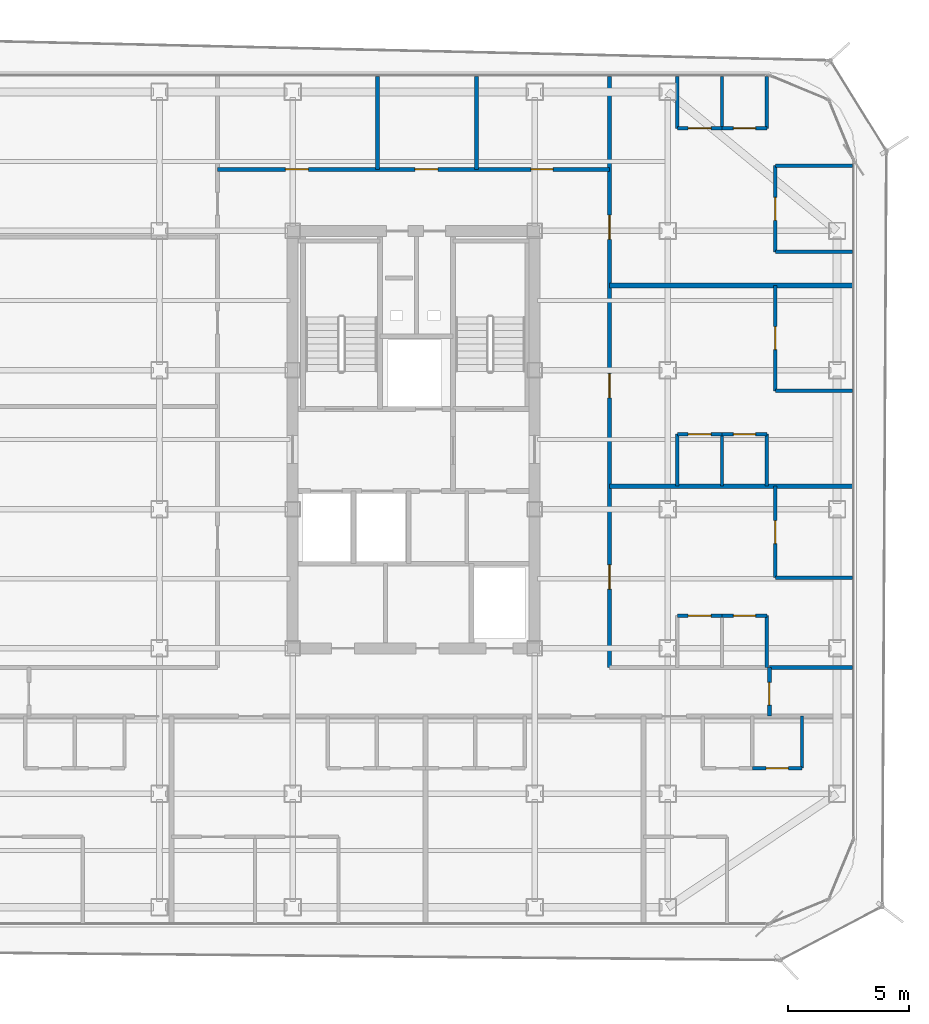
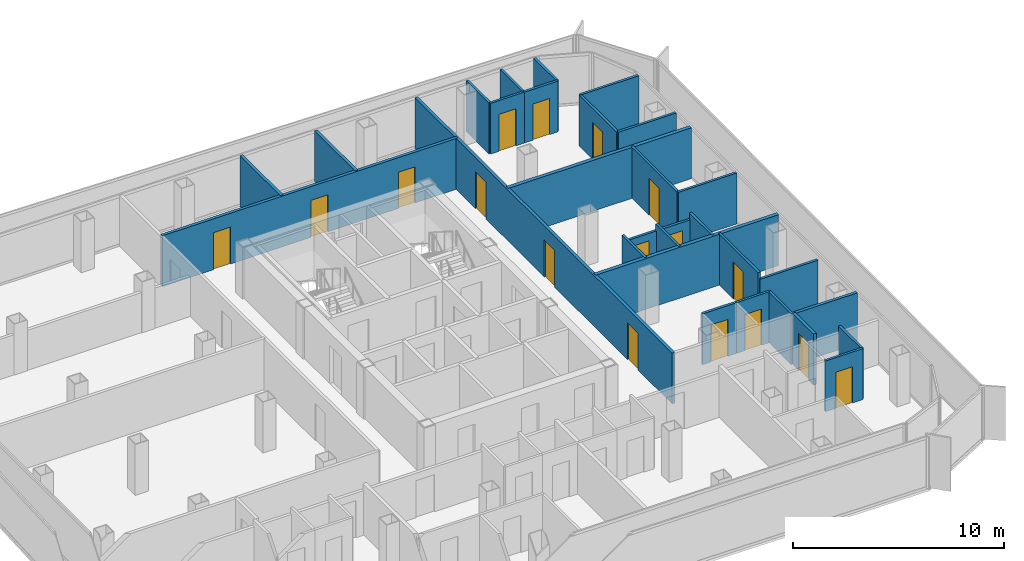
# One storey, part 12 of 16: 30 walls, 17 doors, 17 openings.
"""IFC4 building model written with IfcOpenShell, lengths in metres."""

from ifc_helpers import new_model, si_unit, direction, frame, frame_2d, origin, place, context, subcontext, project, spatial, rectangle, extrude, material, layer, layer_set, type_object, element, fill, save


model = new_model("IFC4")

# Units and contexts
model_context = context("Model", 3, precision=1e-05, world=origin(), true_north=direction((0.0, 1.0)))
body_context = subcontext(model_context, "Body", "Model", "MODEL_VIEW")
ifc_project = project(units=[si_unit("LENGTHUNIT", "METRE"), si_unit("AREAUNIT", "SQUARE_METRE"), si_unit("VOLUMEUNIT", "CUBIC_METRE"), si_unit("PLANEANGLEUNIT", "RADIAN"), si_unit("MASSUNIT", "GRAM", prefix="KILO")], contexts=[model_context])

# Site, building, storey
site_placement = place(None, origin())
site = spatial("IfcSite", under=ifc_project, at=site_placement, CompositionType="ELEMENT")
building_placement = place(site_placement, origin())
building = spatial("IfcBuilding", under=site, at=building_placement, Name="Kolveth Station Tower", CompositionType="ELEMENT")
storey_placement = place(building_placement, frame((0.0, 0.0, 178.5)))
storey = spatial("IfcBuildingStorey", under=building, at=storey_placement, Name="L50", CompositionType="ELEMENT", Elevation=178.5)

# Wall, opening, door
ifc_material_1 = material(Name="Moisture-resistant gypsum partition")
ifc_layer_1 = layer(ifc_material_1, 0.135009765625)
ifc_layer_set_1 = layer_set([ifc_layer_1], Name="Moisture-resistant gypsum partition")
wall_type_1 = type_object("IfcWallType", Name="Wall_IW-135", PredefinedType="PARTITIONING", material=ifc_layer_set_1)
wall_1_placement = place(storey_placement, frame((37.5, 6.550048828125, 0.0), z_axis=(0.0, 0.0, 1.0), x_axis=(1.0, 0.0, 0.0)))
wall_1 = element("IfcWall", 1, at=wall_1_placement, inside=storey, type_object=wall_type_1, Name="L50 Partition Wall WL-L50-A4-IBHB", PredefinedType="PARTITIONING", context=body_context, shape_type="SweptSolid", body=[
    extrude(rectangle(XDim=2.050048828125, YDim=0.135009765625, at=frame_2d((1.02490234375, 0.0))), origin(), (0.0, 0.0, 1.0), 2.949951171875),
])
opening_1_placement = place(wall_1_placement, frame((0.56494140625, 0.0, 0.0)))
opening_1 = element("IfcOpeningElement", 2, at=opening_1_placement, cuts=wall_1, Name="Opening ID2", PredefinedType="OPENING", context=body_context, shape_type="SweptSolid", body=[
    extrude(rectangle(XDim=0.919921875, YDim=2.10009765625, at=frame_2d((0.4599609375, 1.050048828125))), frame((0.0, 0.077392578125, 0.0), z_axis=(0.0, -1.0, 0.0), x_axis=(1.0, 0.0, 0.0)), (0.0, 0.0, 1.0), 0.155029296875),
])
ifc_material_2 = material(Name="Moisture-resistant hardwood leaf", Category="wood")
door_type_1 = type_object("IfcDoorType", Name="Door_ID2", OperationType="NOTDEFINED", PredefinedType="DOOR", material=ifc_material_2)
door_1_placement = place(opening_1_placement, origin())
door_1 = element("IfcDoor", 3, at=door_1_placement, inside=storey, type_object=door_type_1, Name="Flat L50-A4 Bathroom Door", OperationType="SINGLE_SWING_RIGHT", OverallHeight=2.10009765625, OverallWidth=0.919921875, PredefinedType="DOOR", context=body_context, shape_type="SweptSolid", body=[
    extrude(rectangle(XDim=0.919921875, YDim=2.10009765625, at=frame_2d((0.4599609375, 1.050048828125))), frame((0.0, 0.02490234375, 0.0), z_axis=(0.0, -1.0, 0.0), x_axis=(1.0, 0.0, 0.0)), (0.0, 0.0, 1.0), 0.050048828125),
])
fill(opening_1, door_1)

# Wall
wall_2_placement = place(storey_placement, frame((39.550048828125, 6.550048828125, 0.0), z_axis=(0.0, 0.0, 1.0), x_axis=(0.0, 1.0, 0.0)))
element("IfcWall", 4, at=wall_2_placement, inside=storey, type_object=wall_type_1, Name="L50 Partition Wall WL-L50-A4-IBV2", PredefinedType="PARTITIONING", context=body_context, shape_type="SweptSolid", body=[
    extrude(rectangle(XDim=2.14990234375, YDim=0.135009765625, at=frame_2d((1.074951171875, 0.0))), origin(), (0.0, 0.0, 1.0), 2.949951171875),
])

# Wall, opening, door
wall_3_placement = place(storey_placement, frame((34.39990234375, 12.85009765625, 0.0), z_axis=(0.0, 0.0, 1.0), x_axis=(1.0, 0.0, 0.0)))
wall_3 = element("IfcWall", 5, at=wall_3_placement, inside=storey, type_object=wall_type_1, Name="L50 Partition Wall WL-L50-E1-IBHK", PredefinedType="PARTITIONING", context=body_context, shape_type="SweptSolid", body=[
    extrude(rectangle(XDim=1.85009765625, YDim=0.135009765625, at=frame_2d((0.925048828125, 0.0))), origin(), (0.0, 0.0, 1.0), 2.949951171875),
])
opening_2_placement = place(wall_3_placement, frame((0.445068359375, 0.0, 0.0)))
opening_2 = element("IfcOpeningElement", 6, at=opening_2_placement, cuts=wall_3, Name="Opening ID1", PredefinedType="OPENING", context=body_context, shape_type="SweptSolid", body=[
    extrude(rectangle(XDim=0.949951171875, YDim=2.14990234375, at=frame_2d((0.47509765625, 1.074951171875))), frame((0.0, 0.077392578125, 0.0), z_axis=(0.0, -1.0, 0.0), x_axis=(1.0, 0.0, 0.0)), (0.0, 0.0, 1.0), 0.155029296875),
])
ifc_material_3 = material(Name="Acoustic hardwood leaf and aluminium frame", Category="wood")
door_type_2 = type_object("IfcDoorType", Name="Door_ID1", OperationType="NOTDEFINED", PredefinedType="DOOR", material=ifc_material_3)
door_2_placement = place(opening_2_placement, origin())
door_2 = element("IfcDoor", 7, at=door_2_placement, inside=storey, type_object=door_type_2, Name="Flat L50-E1 Kitchen Door", OperationType="SINGLE_SWING_RIGHT", OverallHeight=2.14990234375, OverallWidth=0.949951171875, PredefinedType="DOOR", context=body_context, shape_type="SweptSolid", body=[
    extrude(rectangle(XDim=0.949951171875, YDim=2.14990234375, at=frame_2d((0.47509765625, 1.074951171875))), frame((0.0, 0.02490234375, 0.0), z_axis=(0.0, -1.0, 0.0), x_axis=(1.0, 0.0, 0.0)), (0.0, 0.0, 1.0), 0.050048828125),
])
fill(opening_2, door_2)

wall_4_placement = place(storey_placement, frame((36.25, 12.85009765625, 0.0), z_axis=(0.0, 0.0, 1.0), x_axis=(1.0, 0.0, 0.0)))
wall_4 = element("IfcWall", 8, at=wall_4_placement, inside=storey, type_object=wall_type_1, Name="L50 Partition Wall WL-L50-E1-IBHB", PredefinedType="PARTITIONING", context=body_context, shape_type="SweptSolid", body=[
    extrude(rectangle(XDim=1.85009765625, YDim=0.135009765625, at=frame_2d((0.925048828125, 0.0))), origin(), (0.0, 0.0, 1.0), 2.949951171875),
])
opening_3_placement = place(wall_4_placement, frame((0.465087890625, 0.0, 0.0)))
opening_3 = element("IfcOpeningElement", 9, at=opening_3_placement, cuts=wall_4, Name="Opening ID2", PredefinedType="OPENING", context=body_context, shape_type="SweptSolid", body=[
    extrude(rectangle(XDim=0.919921875, YDim=2.10009765625, at=frame_2d((0.4599609375, 1.050048828125))), frame((0.0, 0.077392578125, 0.0), z_axis=(0.0, -1.0, 0.0), x_axis=(1.0, 0.0, 0.0)), (0.0, 0.0, 1.0), 0.155029296875),
])
door_3_placement = place(opening_3_placement, origin())
door_3 = element("IfcDoor", 10, at=door_3_placement, inside=storey, type_object=door_type_1, Name="Flat L50-E1 Bathroom Door", OperationType="SINGLE_SWING_LEFT", OverallHeight=2.10009765625, OverallWidth=0.919921875, PredefinedType="DOOR", context=body_context, shape_type="SweptSolid", body=[
    extrude(rectangle(XDim=0.919921875, YDim=2.10009765625, at=frame_2d((0.4599609375, 1.050048828125))), frame((0.0, 0.02490234375, 0.0), z_axis=(0.0, -1.0, 0.0), x_axis=(1.0, 0.0, 0.0)), (0.0, 0.0, 1.0), 0.050048828125),
])
fill(opening_3, door_3)

# Walls
wall_5_placement = place(storey_placement, frame((38.10009765625, 10.699951171875, 0.0), z_axis=(0.0, 0.0, 1.0), x_axis=(0.0, 1.0, 0.0)))
element("IfcWall", 11, at=wall_5_placement, inside=storey, type_object=wall_type_1, Name="L50 Partition Wall WL-L50-E1-IBV2", PredefinedType="PARTITIONING", context=body_context, shape_type="SweptSolid", body=[
    extrude(rectangle(XDim=2.150146484375, YDim=0.135009765625, at=frame_2d((1.0751953125, 0.0))), origin(), (0.0, 0.0, 1.0), 2.949951171875),
])
wall_6_placement = place(storey_placement, frame((38.449951171875, 14.419921875, 0.0), z_axis=(0.0, 0.0, 1.0), x_axis=(1.0, 0.0, 0.0)))
element("IfcWall", 12, at=wall_6_placement, inside=storey, type_object=wall_type_1, Name="L50 Partition Wall WL-L50-E1-BDH0", PredefinedType="PARTITIONING", context=body_context, shape_type="SweptSolid", body=[
    extrude(rectangle(XDim=3.18994140625, YDim=0.135009765625, at=frame_2d((1.594970703125, 0.0))), origin(), (0.0, 0.0, 1.0), 2.5830078125),
])

# Wall, opening, door
wall_7_placement = place(storey_placement, frame((38.449951171875, 14.419921875, 0.0), z_axis=(0.0, 0.0, 1.0), x_axis=(0.0, 1.0, 0.0)))
wall_7 = element("IfcWall", 13, at=wall_7_placement, inside=storey, type_object=wall_type_1, Name="L50 Partition Wall WL-L50-E1-BDV1", PredefinedType="PARTITIONING", context=body_context, shape_type="SweptSolid", body=[
    extrude(rectangle(XDim=3.780029296875, YDim=0.135009765625, at=frame_2d((1.89013671875, 0.0))), origin(), (0.0, 0.0, 1.0), 2.949951171875),
])
opening_4_placement = place(wall_7_placement, frame((1.409912109375, 0.0, 0.0)))
opening_4 = element("IfcOpeningElement", 14, at=opening_4_placement, cuts=wall_7, Name="Opening ID1", PredefinedType="OPENING", context=body_context, shape_type="SweptSolid", body=[
    extrude(rectangle(XDim=0.949951171875, YDim=2.14990234375, at=frame_2d((0.47509765625, 1.074951171875))), frame((0.0, 0.077392578125, 0.0), z_axis=(0.0, -1.0, 0.0), x_axis=(1.0, 0.0, 0.0)), (0.0, 0.0, 1.0), 0.155029296875),
])
door_4_placement = place(opening_4_placement, frame((0.949951171875, 0.0, 0.0), z_axis=(0.0, 0.0, 1.0), x_axis=(-1.0, 0.0, 0.0)))
door_4 = element("IfcDoor", 15, at=door_4_placement, inside=storey, type_object=door_type_2, Name="Flat L50-E1 Bedroom 1 Door", OperationType="SINGLE_SWING_RIGHT", OverallHeight=2.14990234375, OverallWidth=0.949951171875, PredefinedType="DOOR", context=body_context, shape_type="SweptSolid", body=[
    extrude(rectangle(XDim=0.949951171875, YDim=2.14990234375, at=frame_2d((0.47509765625, 1.074951171875))), frame((0.0, 0.02490234375, 0.0), z_axis=(0.0, -1.0, 0.0), x_axis=(1.0, 0.0, 0.0)), (0.0, 0.0, 1.0), 0.050048828125),
])
fill(opening_4, door_4)

wall_8_placement = place(storey_placement, frame((34.39990234375, 20.35009765625, 0.0), z_axis=(0.0, 0.0, 1.0), x_axis=(1.0, 0.0, 0.0)))
wall_8 = element("IfcWall", 16, at=wall_8_placement, inside=storey, type_object=wall_type_1, Name="L50 Partition Wall WL-L50-E2-IBHK", PredefinedType="PARTITIONING", context=body_context, shape_type="SweptSolid", body=[
    extrude(rectangle(XDim=1.85009765625, YDim=0.135009765625, at=frame_2d((0.925048828125, 0.0))), origin(), (0.0, 0.0, 1.0), 2.5830078125),
])
opening_5_placement = place(wall_8_placement, frame((0.445068359375, 0.0, 0.0)))
opening_5 = element("IfcOpeningElement", 17, at=opening_5_placement, cuts=wall_8, Name="Opening ID1", PredefinedType="OPENING", context=body_context, shape_type="SweptSolid", body=[
    extrude(rectangle(XDim=0.949951171875, YDim=2.14990234375, at=frame_2d((0.47509765625, 1.074951171875))), frame((0.0, 0.077392578125, 0.0), z_axis=(0.0, -1.0, 0.0), x_axis=(1.0, 0.0, 0.0)), (0.0, 0.0, 1.0), 0.155029296875),
])
door_5_placement = place(opening_5_placement, origin())
door_5 = element("IfcDoor", 18, at=door_5_placement, inside=storey, type_object=door_type_2, Name="Flat L50-E2 Kitchen Door", OperationType="SINGLE_SWING_LEFT", OverallHeight=2.14990234375, OverallWidth=0.949951171875, PredefinedType="DOOR", context=body_context, shape_type="SweptSolid", body=[
    extrude(rectangle(XDim=0.949951171875, YDim=2.14990234375, at=frame_2d((0.47509765625, 1.074951171875))), frame((0.0, 0.02490234375, 0.0), z_axis=(0.0, -1.0, 0.0), x_axis=(1.0, 0.0, 0.0)), (0.0, 0.0, 1.0), 0.050048828125),
])
fill(opening_5, door_5)

wall_9_placement = place(storey_placement, frame((36.25, 20.35009765625, 0.0), z_axis=(0.0, 0.0, 1.0), x_axis=(1.0, 0.0, 0.0)))
wall_9 = element("IfcWall", 19, at=wall_9_placement, inside=storey, type_object=wall_type_1, Name="L50 Partition Wall WL-L50-E2-IBHB", PredefinedType="PARTITIONING", context=body_context, shape_type="SweptSolid", body=[
    extrude(rectangle(XDim=1.85009765625, YDim=0.135009765625, at=frame_2d((0.925048828125, 0.0))), origin(), (0.0, 0.0, 1.0), 2.5830078125),
])
opening_6_placement = place(wall_9_placement, frame((0.465087890625, 0.0, 0.0)))
opening_6 = element("IfcOpeningElement", 20, at=opening_6_placement, cuts=wall_9, Name="Opening ID2", PredefinedType="OPENING", context=body_context, shape_type="SweptSolid", body=[
    extrude(rectangle(XDim=0.919921875, YDim=2.10009765625, at=frame_2d((0.4599609375, 1.050048828125))), frame((0.0, 0.077392578125, 0.0), z_axis=(0.0, -1.0, 0.0), x_axis=(1.0, 0.0, 0.0)), (0.0, 0.0, 1.0), 0.155029296875),
])
door_6_placement = place(opening_6_placement, origin())
door_6 = element("IfcDoor", 21, at=door_6_placement, inside=storey, type_object=door_type_1, Name="Flat L50-E2 Bathroom Door", OperationType="SINGLE_SWING_LEFT", OverallHeight=2.10009765625, OverallWidth=0.919921875, PredefinedType="DOOR", context=body_context, shape_type="SweptSolid", body=[
    extrude(rectangle(XDim=0.919921875, YDim=2.10009765625, at=frame_2d((0.4599609375, 1.050048828125))), frame((0.0, 0.02490234375, 0.0), z_axis=(0.0, -1.0, 0.0), x_axis=(1.0, 0.0, 0.0)), (0.0, 0.0, 1.0), 0.050048828125),
])
fill(opening_6, door_6)

# Walls
for number, where, z_axis, x_axis, name in (
    (22, (34.39990234375, 18.199951171875, 0.0), (0.0, 0.0, 1.0), (0.0, 1.0, 0.0), "L50 Partition Wall WL-L50-E2-IBV0"),
    (23, (36.25, 18.199951171875, 0.0), (0.0, 0.0, 1.0), (0.0, 1.0, 0.0), "L50 Partition Wall WL-L50-E2-IBV1"),
    (24, (38.10009765625, 18.199951171875, 0.0), (0.0, 0.0, 1.0), (0.0, 1.0, 0.0), "L50 Partition Wall WL-L50-E2-IBV2"),
):
    element("IfcWall", number, at=place(storey_placement, frame(where, z_axis=z_axis, x_axis=x_axis)), inside=storey, type_object=wall_type_1, Name=name, PredefinedType="PARTITIONING", context=body_context, shape_type="SweptSolid", body=[
        extrude(rectangle(XDim=2.150146484375, YDim=0.135009765625, at=frame_2d((1.0751953125, 0.0))), origin(), (0.0, 0.0, 1.0), 2.949951171875),
    ])
wall_10_placement = place(storey_placement, frame((38.449951171875, 22.14404296875, 0.0), z_axis=(0.0, 0.0, 1.0), x_axis=(1.0, 0.0, 0.0)))
element("IfcWall", 25, at=wall_10_placement, inside=storey, type_object=wall_type_1, Name="L50 Partition Wall WL-L50-E2-BDH0", PredefinedType="PARTITIONING", context=body_context, shape_type="SweptSolid", body=[
    extrude(rectangle(XDim=3.18994140625, YDim=0.135009765625, at=frame_2d((1.594970703125, 0.0))), origin(), (0.0, 0.0, 1.0), 2.949951171875),
])

# Wall, opening, door
wall_11_placement = place(storey_placement, frame((38.449951171875, 22.14404296875, 0.0), z_axis=(0.0, 0.0, 1.0), x_axis=(0.0, 1.0, 0.0)))
wall_11 = element("IfcWall", 26, at=wall_11_placement, inside=storey, type_object=wall_type_1, Name="L50 Partition Wall WL-L50-E2-BDV1", PredefinedType="PARTITIONING", context=body_context, shape_type="SweptSolid", body=[
    extrude(rectangle(XDim=4.35595703125, YDim=0.135009765625, at=frame_2d((2.177978515625, 0.0))), origin(), (0.0, 0.0, 1.0), 2.949951171875),
])
opening_7_placement = place(wall_11_placement, frame((1.697998046875, 0.0, 0.0)))
opening_7 = element("IfcOpeningElement", 27, at=opening_7_placement, cuts=wall_11, Name="Opening ID1", PredefinedType="OPENING", context=body_context, shape_type="SweptSolid", body=[
    extrude(rectangle(XDim=0.949951171875, YDim=2.14990234375, at=frame_2d((0.47509765625, 1.074951171875))), frame((0.0, 0.077392578125, 0.0), z_axis=(0.0, -1.0, 0.0), x_axis=(1.0, 0.0, 0.0)), (0.0, 0.0, 1.0), 0.155029296875),
])
door_7_placement = place(opening_7_placement, frame((0.949951171875, 0.0, 0.0), z_axis=(0.0, 0.0, 1.0), x_axis=(-1.0, 0.0, 0.0)))
door_7 = element("IfcDoor", 28, at=door_7_placement, inside=storey, type_object=door_type_2, Name="Flat L50-E2 Bedroom 1 Door", OperationType="SINGLE_SWING_RIGHT", OverallHeight=2.14990234375, OverallWidth=0.949951171875, PredefinedType="DOOR", context=body_context, shape_type="SweptSolid", body=[
    extrude(rectangle(XDim=0.949951171875, YDim=2.14990234375, at=frame_2d((0.47509765625, 1.074951171875))), frame((0.0, 0.02490234375, 0.0), z_axis=(0.0, -1.0, 0.0), x_axis=(1.0, 0.0, 0.0)), (0.0, 0.0, 1.0), 0.050048828125),
])
fill(opening_7, door_7)

wall_12_placement = place(storey_placement, frame((34.39990234375, 32.989990234375, 0.0), z_axis=(0.0, 0.0, 1.0), x_axis=(1.0, 0.0, 0.0)))
wall_12 = element("IfcWall", 29, at=wall_12_placement, inside=storey, type_object=wall_type_1, Name="L50 Partition Wall WL-L50-E3-IBHK", PredefinedType="PARTITIONING", context=body_context, shape_type="SweptSolid", body=[
    extrude(rectangle(XDim=1.85009765625, YDim=0.135009765625, at=frame_2d((0.925048828125, 0.0))), origin(), (0.0, 0.0, 1.0), 2.949951171875),
])
opening_8_placement = place(wall_12_placement, frame((0.445068359375, 0.0, 0.0)))
opening_8 = element("IfcOpeningElement", 30, at=opening_8_placement, cuts=wall_12, Name="Opening ID1", PredefinedType="OPENING", context=body_context, shape_type="SweptSolid", body=[
    extrude(rectangle(XDim=0.949951171875, YDim=2.14990234375, at=frame_2d((0.47509765625, 1.074951171875))), frame((0.0, 0.077392578125, 0.0), z_axis=(0.0, -1.0, 0.0), x_axis=(1.0, 0.0, 0.0)), (0.0, 0.0, 1.0), 0.155029296875),
])
door_8_placement = place(opening_8_placement, frame((0.949951171875, 0.0, 0.0), z_axis=(0.0, 0.0, 1.0), x_axis=(-1.0, 0.0, 0.0)))
door_8 = element("IfcDoor", 31, at=door_8_placement, inside=storey, type_object=door_type_2, Name="Flat L50-E3 Kitchen Door", OperationType="SINGLE_SWING_RIGHT", OverallHeight=2.14990234375, OverallWidth=0.949951171875, PredefinedType="DOOR", context=body_context, shape_type="SweptSolid", body=[
    extrude(rectangle(XDim=0.949951171875, YDim=2.14990234375, at=frame_2d((0.47509765625, 1.074951171875))), frame((0.0, 0.02490234375, 0.0), z_axis=(0.0, -1.0, 0.0), x_axis=(1.0, 0.0, 0.0)), (0.0, 0.0, 1.0), 0.050048828125),
])
fill(opening_8, door_8)

wall_13_placement = place(storey_placement, frame((36.25, 32.989990234375, 0.0), z_axis=(0.0, 0.0, 1.0), x_axis=(1.0, 0.0, 0.0)))
wall_13 = element("IfcWall", 32, at=wall_13_placement, inside=storey, type_object=wall_type_1, Name="L50 Partition Wall WL-L50-E3-IBHB", PredefinedType="PARTITIONING", context=body_context, shape_type="SweptSolid", body=[
    extrude(rectangle(XDim=1.85009765625, YDim=0.135009765625, at=frame_2d((0.925048828125, 0.0))), origin(), (0.0, 0.0, 1.0), 2.949951171875),
])
opening_9_placement = place(wall_13_placement, frame((0.465087890625, 0.0, 0.0)))
opening_9 = element("IfcOpeningElement", 33, at=opening_9_placement, cuts=wall_13, Name="Opening ID2", PredefinedType="OPENING", context=body_context, shape_type="SweptSolid", body=[
    extrude(rectangle(XDim=0.919921875, YDim=2.10009765625, at=frame_2d((0.4599609375, 1.050048828125))), frame((0.0, 0.077392578125, 0.0), z_axis=(0.0, -1.0, 0.0), x_axis=(1.0, 0.0, 0.0)), (0.0, 0.0, 1.0), 0.155029296875),
])
door_9_placement = place(opening_9_placement, frame((0.919921875, 0.0, 0.0), z_axis=(0.0, 0.0, 1.0), x_axis=(-1.0, 0.0, 0.0)))
door_9 = element("IfcDoor", 34, at=door_9_placement, inside=storey, type_object=door_type_1, Name="Flat L50-E3 Bathroom Door", OperationType="SINGLE_SWING_LEFT", OverallHeight=2.10009765625, OverallWidth=0.919921875, PredefinedType="DOOR", context=body_context, shape_type="SweptSolid", body=[
    extrude(rectangle(XDim=0.919921875, YDim=2.10009765625, at=frame_2d((0.4599609375, 1.050048828125))), frame((0.0, 0.02490234375, 0.0), z_axis=(0.0, -1.0, 0.0), x_axis=(1.0, 0.0, 0.0)), (0.0, 0.0, 1.0), 0.050048828125),
])
fill(opening_9, door_9)

# Walls
for number, where, z_axis, x_axis, name in (
    (35, (34.39990234375, 32.989990234375, 0.0), (0.0, 0.0, 1.0), (0.0, 1.0, 0.0), "L50 Partition Wall WL-L50-E3-IBV0"),
    (36, (36.25, 32.989990234375, 0.0), (0.0, 0.0, 1.0), (0.0, 1.0, 0.0), "L50 Partition Wall WL-L50-E3-IBV1"),
    (37, (38.10009765625, 32.989990234375, 0.0), (0.0, 0.0, 1.0), (0.0, 1.0, 0.0), "L50 Partition Wall WL-L50-E3-IBV2"),
):
    element("IfcWall", number, at=place(storey_placement, frame(where, z_axis=z_axis, x_axis=x_axis)), inside=storey, type_object=wall_type_1, Name=name, PredefinedType="PARTITIONING", context=body_context, shape_type="SweptSolid", body=[
        extrude(rectangle(XDim=2.14990234375, YDim=0.135009765625, at=frame_2d((1.074951171875, 0.0))), origin(), (0.0, 0.0, 1.0), 2.949951171875),
    ])
for number, where, z_axis, x_axis, name in (
    (38, (38.449951171875, 27.885986328125, 0.0), (0.0, 0.0, 1.0), (1.0, 0.0, 0.0), "L50 Partition Wall WL-L50-E3-BDH0"),
    (39, (38.449951171875, 31.449951171875, 0.0), (0.0, 0.0, 1.0), (1.0, 0.0, 0.0), "L50 Partition Wall WL-L50-E3-BDHE"),
):
    element("IfcWall", number, at=place(storey_placement, frame(where, z_axis=z_axis, x_axis=x_axis)), inside=storey, type_object=wall_type_1, Name=name, PredefinedType="PARTITIONING", context=body_context, shape_type="SweptSolid", body=[
        extrude(rectangle(XDim=3.18994140625, YDim=0.135009765625, at=frame_2d((1.594970703125, 0.0))), origin(), (0.0, 0.0, 1.0), 2.949951171875),
    ])

# Wall, opening, door
wall_14_placement = place(storey_placement, frame((38.449951171875, 27.885986328125, 0.0), z_axis=(0.0, 0.0, 1.0), x_axis=(0.0, 1.0, 0.0)))
wall_14 = element("IfcWall", 40, at=wall_14_placement, inside=storey, type_object=wall_type_1, Name="L50 Partition Wall WL-L50-E3-BDV1", PredefinedType="PARTITIONING", context=body_context, shape_type="SweptSolid", body=[
    extrude(rectangle(XDim=3.56396484375, YDim=0.135009765625, at=frame_2d((1.781982421875, 0.0))), origin(), (0.0, 0.0, 1.0), 2.949951171875),
])
opening_10_placement = place(wall_14_placement, frame((1.302001953125, 0.0, 0.0)))
opening_10 = element("IfcOpeningElement", 41, at=opening_10_placement, cuts=wall_14, Name="Opening ID1", PredefinedType="OPENING", context=body_context, shape_type="SweptSolid", body=[
    extrude(rectangle(XDim=0.949951171875, YDim=2.14990234375, at=frame_2d((0.47509765625, 1.074951171875))), frame((0.0, 0.077392578125, 0.0), z_axis=(0.0, -1.0, 0.0), x_axis=(1.0, 0.0, 0.0)), (0.0, 0.0, 1.0), 0.155029296875),
])
door_10_placement = place(opening_10_placement, frame((0.949951171875, 0.0, 0.0), z_axis=(0.0, 0.0, 1.0), x_axis=(-1.0, 0.0, 0.0)))
door_10 = element("IfcDoor", 42, at=door_10_placement, inside=storey, type_object=door_type_2, Name="Flat L50-E3 Bedroom 1 Door", OperationType="SINGLE_SWING_RIGHT", OverallHeight=2.14990234375, OverallWidth=0.949951171875, PredefinedType="DOOR", context=body_context, shape_type="SweptSolid", body=[
    extrude(rectangle(XDim=0.949951171875, YDim=2.14990234375, at=frame_2d((0.47509765625, 1.074951171875))), frame((0.0, 0.02490234375, 0.0), z_axis=(0.0, -1.0, 0.0), x_axis=(1.0, 0.0, 0.0)), (0.0, 0.0, 1.0), 0.050048828125),
])
fill(opening_10, door_10)

ifc_material_4 = material(Name="Acoustic double-stud gypsum partition")
ifc_layer_2 = layer(ifc_material_4, 0.1650390625)
ifc_layer_set_2 = layer_set([ifc_layer_2], Name="Acoustic double-stud gypsum partition")
wall_type_2 = type_object("IfcWallType", Name="Wall_IW-165", PredefinedType="PARTITIONING", material=ifc_layer_set_2)
wall_15_placement = place(storey_placement, frame((38.199951171875, 8.699951171875, 0.0), z_axis=(0.0, 0.0, 1.0), x_axis=(0.0, 1.0, 0.0)))
wall_15 = element("IfcWall", 43, at=wall_15_placement, inside=storey, type_object=wall_type_2, Name="L50 Partition Wall WL-L50-RSEE", PredefinedType="PARTITIONING", context=body_context, shape_type="SweptSolid", body=[
    extrude(rectangle(XDim=2.0, YDim=0.1650390625, at=frame_2d((1.0, 0.0))), origin(), (0.0, 0.0, 1.0), 2.949951171875),
])
opening_11_placement = place(wall_15_placement, frame((0.449951171875, 0.0, 0.0)))
opening_11 = element("IfcOpeningElement", 44, at=opening_11_placement, cuts=wall_15, Name="Opening ID1", PredefinedType="OPENING", context=body_context, shape_type="SweptSolid", body=[
    extrude(rectangle(XDim=0.949951171875, YDim=2.14990234375, at=frame_2d((0.47509765625, 1.074951171875))), frame((0.0, 0.092529296875, 0.0), z_axis=(0.0, -1.0, 0.0), x_axis=(1.0, 0.0, 0.0)), (0.0, 0.0, 1.0), 0.18505859375),
])
door_11_placement = place(opening_11_placement, origin())
door_11 = element("IfcDoor", 45, at=door_11_placement, inside=storey, type_object=door_type_2, Name="L50 Hobby Study Door", OperationType="SINGLE_SWING_RIGHT", OverallHeight=2.14990234375, OverallWidth=0.949951171875, PredefinedType="DOOR", context=body_context, shape_type="SweptSolid", body=[
    extrude(rectangle(XDim=0.949951171875, YDim=2.14990234375, at=frame_2d((0.47509765625, 1.074951171875))), frame((0.0, 0.02490234375, 0.0), z_axis=(0.0, -1.0, 0.0), x_axis=(1.0, 0.0, 0.0)), (0.0, 0.0, 1.0), 0.050048828125),
])
fill(opening_11, door_11)

# Wall, openings, doors
wall_16_placement = place(storey_placement, frame((15.39990234375, 31.300048828125, 0.0), z_axis=(0.0, 0.0, 1.0), x_axis=(1.0, 0.0, 0.0)))
wall_16 = element("IfcWall", 46, at=wall_16_placement, inside=storey, type_object=wall_type_2, Name="L50 Partition Wall WL-L50-RN", PredefinedType="PARTITIONING", context=body_context, shape_type="SweptSolid", body=[
    extrude(rectangle(XDim=16.2001953125, YDim=0.1650390625, at=frame_2d((8.10009765625, 0.0))), origin(), (0.0, 0.0, 1.0), 2.949951171875),
])
opening_12_placement = place(wall_16_placement, frame((2.800048828125, 0.0, 0.0)))
opening_12 = element("IfcOpeningElement", 47, at=opening_12_placement, cuts=wall_16, Name="Opening ID1", PredefinedType="OPENING", context=body_context, shape_type="SweptSolid", body=[
    extrude(rectangle(XDim=0.949951171875, YDim=2.14990234375, at=frame_2d((0.47509765625, 1.074951171875))), frame((0.0, 0.092529296875, 0.0), z_axis=(0.0, -1.0, 0.0), x_axis=(1.0, 0.0, 0.0)), (0.0, 0.0, 1.0), 0.18505859375),
])
opening_13_placement = place(wall_16_placement, frame((8.14990234375, 0.0, 0.0)))
opening_13 = element("IfcOpeningElement", 48, at=opening_13_placement, cuts=wall_16, Name="Opening ID1", PredefinedType="OPENING", context=body_context, shape_type="SweptSolid", body=[
    extrude(rectangle(XDim=0.949951171875, YDim=2.14990234375, at=frame_2d((0.47509765625, 1.074951171875))), frame((0.0, 0.092529296875, 0.0), z_axis=(0.0, -1.0, 0.0), x_axis=(1.0, 0.0, 0.0)), (0.0, 0.0, 1.0), 0.18505859375),
])
opening_14_placement = place(wall_16_placement, frame((12.949951171875, 0.0, 0.0)))
opening_14 = element("IfcOpeningElement", 49, at=opening_14_placement, cuts=wall_16, Name="Opening ID2", PredefinedType="OPENING", context=body_context, shape_type="SweptSolid", body=[
    extrude(rectangle(XDim=0.919921875, YDim=2.10009765625, at=frame_2d((0.4599609375, 1.050048828125))), frame((0.0, 0.092529296875, 0.0), z_axis=(0.0, -1.0, 0.0), x_axis=(1.0, 0.0, 0.0)), (0.0, 0.0, 1.0), 0.18505859375),
])
door_12_placement = place(opening_12_placement, origin())
door_12 = element("IfcDoor", 50, at=door_12_placement, inside=storey, type_object=door_type_2, Name="L50 Residents' Study Lounge Door", OperationType="SINGLE_SWING_RIGHT", OverallHeight=2.14990234375, OverallWidth=0.949951171875, PredefinedType="DOOR", context=body_context, shape_type="SweptSolid", body=[
    extrude(rectangle(XDim=0.949951171875, YDim=2.14990234375, at=frame_2d((0.47509765625, 1.074951171875))), frame((0.0, 0.02490234375, 0.0), z_axis=(0.0, -1.0, 0.0), x_axis=(1.0, 0.0, 0.0)), (0.0, 0.0, 1.0), 0.050048828125),
])
fill(opening_12, door_12)
door_13_placement = place(opening_13_placement, origin())
door_13 = element("IfcDoor", 51, at=door_13_placement, inside=storey, type_object=door_type_2, Name="L50 Residents' Linen Store Door", OperationType="SINGLE_SWING_LEFT", OverallHeight=2.14990234375, OverallWidth=0.949951171875, PredefinedType="DOOR", context=body_context, shape_type="SweptSolid", body=[
    extrude(rectangle(XDim=0.949951171875, YDim=2.14990234375, at=frame_2d((0.47509765625, 1.074951171875))), frame((0.0, 0.02490234375, 0.0), z_axis=(0.0, -1.0, 0.0), x_axis=(1.0, 0.0, 0.0)), (0.0, 0.0, 1.0), 0.050048828125),
])
fill(opening_13, door_13)
door_14_placement = place(opening_14_placement, origin())
door_14 = element("IfcDoor", 52, at=door_14_placement, inside=storey, type_object=door_type_1, Name="L50 Accessible Residents' WC Door", OperationType="SINGLE_SWING_LEFT", OverallHeight=2.10009765625, OverallWidth=0.919921875, PredefinedType="DOOR", context=body_context, shape_type="SweptSolid", body=[
    extrude(rectangle(XDim=0.919921875, YDim=2.10009765625, at=frame_2d((0.4599609375, 1.050048828125))), frame((0.0, 0.02490234375, 0.0), z_axis=(0.0, -1.0, 0.0), x_axis=(1.0, 0.0, 0.0)), (0.0, 0.0, 1.0), 0.050048828125),
])
fill(opening_14, door_14)

wall_17_placement = place(storey_placement, frame((31.60009765625, 10.699951171875, 0.0), z_axis=(0.0, 0.0, 1.0), x_axis=(0.0, 1.0, 0.0)))
wall_17 = element("IfcWall", 53, at=wall_17_placement, inside=storey, type_object=wall_type_2, Name="L50 Partition Wall WL-L50-RE", PredefinedType="PARTITIONING", context=body_context, shape_type="SweptSolid", body=[
    extrude(rectangle(XDim=24.43994140625, YDim=0.1650390625, at=frame_2d((12.219970703125, 0.0))), origin(), (0.0, 0.0, 1.0), 2.949951171875),
])
opening_15_placement = place(wall_17_placement, frame((3.25, 0.0, 0.0)))
opening_15 = element("IfcOpeningElement", 54, at=opening_15_placement, cuts=wall_17, Name="Opening FD3", PredefinedType="OPENING", context=body_context, shape_type="SweptSolid", body=[
    extrude(rectangle(XDim=1.0, YDim=2.14990234375, at=frame_2d((0.5, 1.074951171875))), frame((0.0, 0.092529296875, 0.0), z_axis=(0.0, -1.0, 0.0), x_axis=(1.0, 0.0, 0.0)), (0.0, 0.0, 1.0), 0.18505859375),
])
opening_16_placement = place(wall_17_placement, frame((11.14990234375, 0.0, 0.0)))
opening_16 = element("IfcOpeningElement", 55, at=opening_16_placement, cuts=wall_17, Name="Opening FD3", PredefinedType="OPENING", context=body_context, shape_type="SweptSolid", body=[
    extrude(rectangle(XDim=1.0, YDim=2.14990234375, at=frame_2d((0.5, 1.074951171875))), frame((0.0, 0.092529296875, 0.0), z_axis=(0.0, -1.0, 0.0), x_axis=(1.0, 0.0, 0.0)), (0.0, 0.0, 1.0), 0.18505859375),
])
opening_17_placement = place(wall_17_placement, frame((17.699951171875, 0.0, 0.0)))
opening_17 = element("IfcOpeningElement", 56, at=opening_17_placement, cuts=wall_17, Name="Opening FD3", PredefinedType="OPENING", context=body_context, shape_type="SweptSolid", body=[
    extrude(rectangle(XDim=1.0, YDim=2.14990234375, at=frame_2d((0.5, 1.074951171875))), frame((0.0, 0.092529296875, 0.0), z_axis=(0.0, -1.0, 0.0), x_axis=(1.0, 0.0, 0.0)), (0.0, 0.0, 1.0), 0.18505859375),
])
ifc_material_5 = material(Name="Fire-rated hardwood leaf and aluminium frame", Category="wood")
door_type_3 = type_object("IfcDoorType", Name="Door_FD3", OperationType="NOTDEFINED", PredefinedType="DOOR", material=ifc_material_5)
door_15_placement = place(opening_15_placement, frame((1.0, 0.0, 0.0), z_axis=(0.0, 0.0, 1.0), x_axis=(-1.0, 0.0, 0.0)))
door_15 = element("IfcDoor", 57, at=door_15_placement, inside=storey, type_object=door_type_3, Name="Flat L50-E1 Entrance Door", OperationType="SINGLE_SWING_LEFT", OverallHeight=2.14990234375, OverallWidth=1.0, PredefinedType="DOOR", context=body_context, shape_type="SweptSolid", body=[
    extrude(rectangle(XDim=1.0, YDim=2.14990234375, at=frame_2d((0.5, 1.074951171875))), frame((0.0, 0.02490234375, 0.0), z_axis=(0.0, -1.0, 0.0), x_axis=(1.0, 0.0, 0.0)), (0.0, 0.0, 1.0), 0.050048828125),
])
fill(opening_15, door_15)
door_16_placement = place(opening_16_placement, frame((1.0, 0.0, 0.0), z_axis=(0.0, 0.0, 1.0), x_axis=(-1.0, 0.0, 0.0)))
door_16 = element("IfcDoor", 58, at=door_16_placement, inside=storey, type_object=door_type_3, Name="Flat L50-E2 Entrance Door", OperationType="SINGLE_SWING_LEFT", OverallHeight=2.14990234375, OverallWidth=1.0, PredefinedType="DOOR", context=body_context, shape_type="SweptSolid", body=[
    extrude(rectangle(XDim=1.0, YDim=2.14990234375, at=frame_2d((0.5, 1.074951171875))), frame((0.0, 0.02490234375, 0.0), z_axis=(0.0, -1.0, 0.0), x_axis=(1.0, 0.0, 0.0)), (0.0, 0.0, 1.0), 0.050048828125),
])
fill(opening_16, door_16)
door_17_placement = place(opening_17_placement, frame((1.0, 0.0, 0.0), z_axis=(0.0, 0.0, 1.0), x_axis=(-1.0, 0.0, 0.0)))
door_17 = element("IfcDoor", 59, at=door_17_placement, inside=storey, type_object=door_type_3, Name="Flat L50-E3 Entrance Door", OperationType="SINGLE_SWING_LEFT", OverallHeight=2.14990234375, OverallWidth=1.0, PredefinedType="DOOR", context=body_context, shape_type="SweptSolid", body=[
    extrude(rectangle(XDim=1.0, YDim=2.14990234375, at=frame_2d((0.5, 1.074951171875))), frame((0.0, 0.02490234375, 0.0), z_axis=(0.0, -1.0, 0.0), x_axis=(1.0, 0.0, 0.0)), (0.0, 0.0, 1.0), 0.050048828125),
])
fill(opening_17, door_17)

# Walls
wall_18_placement = place(storey_placement, frame((38.199951171875, 10.699951171875, 0.0), z_axis=(0.0, 0.0, 1.0), x_axis=(1.0, 0.0, 0.0)))
element("IfcWall", 60, at=wall_18_placement, inside=storey, type_object=wall_type_2, Name="L50 Partition Wall WL-L50-ESTN", PredefinedType="PARTITIONING", context=body_context, shape_type="SweptSolid", body=[
    extrude(rectangle(XDim=3.43994140625, YDim=0.1650390625, at=frame_2d((1.719970703125, 0.0))), origin(), (0.0, 0.0, 1.0), 2.949951171875),
])
for number, where, z_axis, x_axis, name in (
    (61, (22.0, 31.300048828125, 0.0), (0.0, 0.0, 1.0), (0.0, 1.0, 0.0), "L50 Partition Wall WL-L50-RN-P1"),
    (62, (26.10009765625, 31.300048828125, 0.0), (0.0, 0.0, 1.0), (0.0, 1.0, 0.0), "L50 Partition Wall WL-L50-RN-P2"),
):
    element("IfcWall", number, at=place(storey_placement, frame(where, z_axis=z_axis, x_axis=x_axis)), inside=storey, type_object=wall_type_2, Name=name, PredefinedType="PARTITIONING", context=body_context, shape_type="SweptSolid", body=[
        extrude(rectangle(XDim=3.83984375, YDim=0.1650390625, at=frame_2d((1.919921875, 0.0))), origin(), (0.0, 0.0, 1.0), 2.949951171875),
    ])
ifc_material_6 = material(Name="Acoustic fire-rated gypsum blockwork", Category="masonry")
ifc_layer_3 = layer(ifc_material_6, 0.199951171875)
ifc_layer_set_3 = layer_set([ifc_layer_3], Name="Acoustic fire-rated gypsum blockwork")
wall_type_3 = type_object("IfcWallType", Name="Wall_IW-200", PredefinedType="PARTITIONING", material=ifc_layer_set_3)
for number, where, z_axis, x_axis, name in (
    (63, (31.60009765625, 18.199951171875, 0.0), (0.0, 0.0, 1.0), (1.0, 0.0, 0.0), "L50 Partition Wall WL-L50-REU-1"),
    (64, (31.60009765625, 26.5, 0.0), (0.0, 0.0, 1.0), (1.0, 0.0, 0.0), "L50 Partition Wall WL-L50-REU-2"),
):
    element("IfcWall", number, at=place(storey_placement, frame(where, z_axis=z_axis, x_axis=x_axis)), inside=storey, type_object=wall_type_3, Name=name, PredefinedType="PARTITIONING", context=body_context, shape_type="SweptSolid", body=[
        extrude(rectangle(XDim=10.039794921875, YDim=0.199951171875, at=frame_2d((5.02001953125, 0.0))), origin(), (0.0, 0.0, 1.0), 2.949951171875),
    ])

save(model, "model.ifc")
